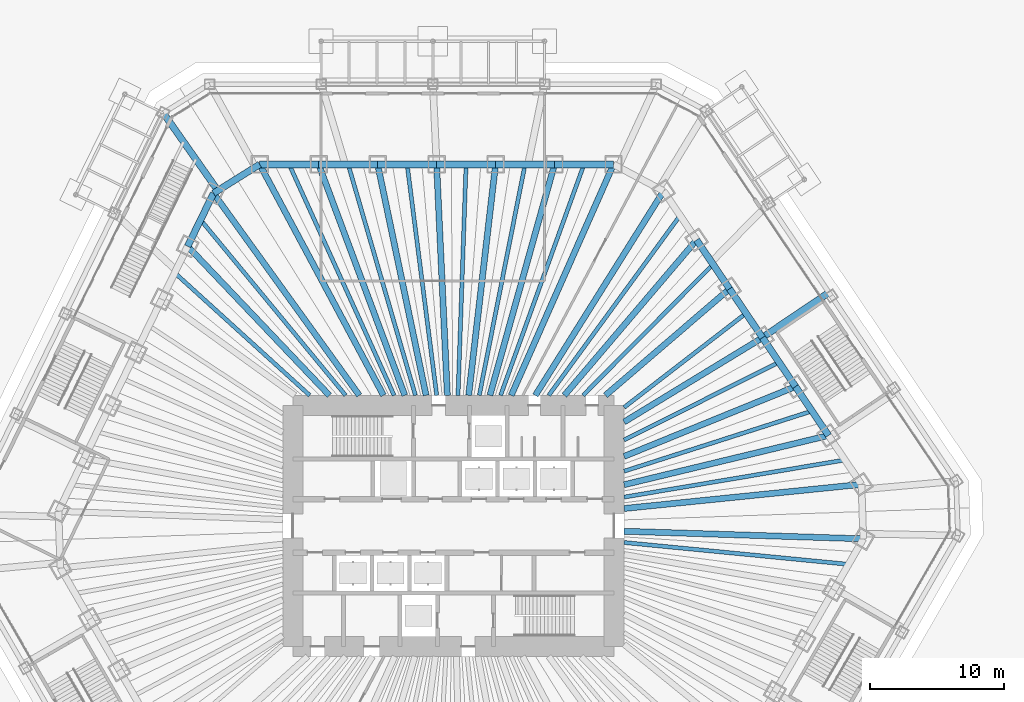
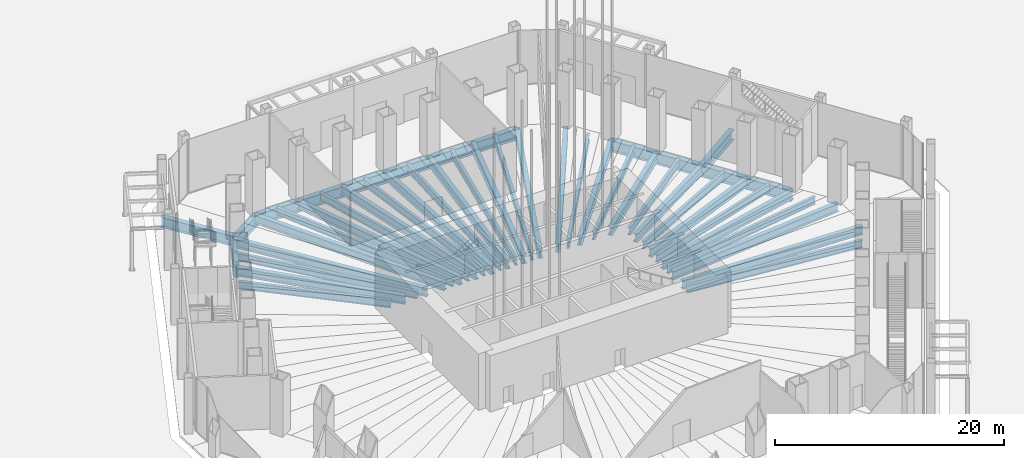
# One storey, part 19 of 45: 46 beams.
"""IFC4 building model written with IfcOpenShell, lengths in metres."""

import ifcopenshell
import ifcopenshell.guid

model = None  # the IFC model being written
_history = None  # IfcOwnerHistory: only IFC2X3 demands one
_inside = {}  # id of a spatial element -> (the spatial element, [elements in it])
_under = {}  # id of a project, library or spatial element -> (it, [spatial elements below it])
_declared = {}  # id of a project -> (the project, [libraries it declares])
_typed = {}  # id of a type object -> (the type object, [elements of that type])
_made_of = {}  # id of a material, layer set ... -> (it, [elements and type objects made of it])


def new_model(schema):
    """Start an empty IFC model of exactly this schema.

    Asked for "IFC4X3", IfcOpenShell would pick the latest addendum, in which some entities
    have other attributes; the version numbers below select the first issue.
    IFC2X3 requires an IfcOwnerHistory on every rooted entity: one is made here for all.
    """
    global model, _history
    if schema == "IFC4X3":
        model = ifcopenshell.file(schema_version=(4, 3, 0, 0))
    else:
        model = ifcopenshell.file(schema=schema)
    _inside.clear()
    _under.clear()
    _declared.clear()
    _typed.clear()
    _made_of.clear()
    _history = None
    if model.schema == "IFC2X3":
        org = make("IfcOrganization", Name="unknown")
        user = make(
            "IfcPersonAndOrganization",
            ThePerson=make("IfcPerson", FamilyName="unknown"),
            TheOrganization=org,
        )
        app = make(
            "IfcApplication",
            ApplicationDeveloper=org,
            Version="unknown",
            ApplicationFullName="unknown",
            ApplicationIdentifier="unknown",
        )
        _history = make(
            "IfcOwnerHistory",
            OwningUser=user,
            OwningApplication=app,
            ChangeAction="ADDED",
            CreationDate=0,
        )
    return model


def make(cls, **values):
    """One entity of the class cls with the attributes given. An attribute that is None is left unset."""
    return model.create_entity(
        cls, **{name: value for name, value in values.items() if value is not None}
    )


def rooted(cls, **values):
    """An entity with a GlobalId (a new one), such as an element, a storey or a relation."""
    return make(cls, GlobalId=ifcopenshell.guid.new(), OwnerHistory=_history, **values)


def si_unit(unit_type, name, prefix=None):
    """IfcSIUnit, for example si_unit("LENGTHUNIT", "METRE", prefix="MILLI")."""
    return make("IfcSIUnit", UnitType=unit_type, Prefix=prefix, Name=name)


def assignment(units):
    """IfcUnitAssignment: the units of a project."""
    return None if units is None else make("IfcUnitAssignment", Units=units)


def point(xyz):
    """IfcCartesianPoint."""
    return None if xyz is None else make("IfcCartesianPoint", Coordinates=xyz)


def direction(xyz):
    """IfcDirection."""
    return None if xyz is None else make("IfcDirection", DirectionRatios=xyz)


def frame(location, z_axis=None, x_axis=None):
    """IfcAxis2Placement3D, a coordinate frame: its origin and axes. An axis left out is left unset."""
    return make(
        "IfcAxis2Placement3D",
        Location=point(location),
        Axis=direction(z_axis),
        RefDirection=direction(x_axis),
    )


def frame_2d(location, x_axis=None):
    """IfcAxis2Placement2D, a coordinate frame in the plane: its origin and x axis."""
    return make(
        "IfcAxis2Placement2D", Location=point(location), RefDirection=direction(x_axis)
    )


def origin():
    """The frame at (0, 0, 0) with its axes left unset."""
    return frame((0.0, 0.0, 0.0))


def origin_2d():
    """The frame at (0, 0) in the plane with its x axis left unset."""
    return frame_2d((0.0, 0.0))


def place(relative_to, where):
    """IfcLocalPlacement: puts the frame where relative to a parent placement (None: the world)."""
    return make(
        "IfcLocalPlacement", PlacementRelTo=relative_to, RelativePlacement=where
    )


def context(
    kind, dimensions, precision=None, world=None, true_north=None, identifier=None
):
    """IfcGeometricRepresentationContext, for example the 3D "Model" context."""
    return make(
        "IfcGeometricRepresentationContext",
        ContextIdentifier=identifier,
        ContextType=kind,
        CoordinateSpaceDimension=dimensions,
        Precision=precision,
        WorldCoordinateSystem=world,
        TrueNorth=true_north,
    )


def subcontext(parent, identifier, kind, view, scale=None):
    """IfcGeometricRepresentationSubContext, for example "Body" below "Model"."""
    return make(
        "IfcGeometricRepresentationSubContext",
        ContextIdentifier=identifier,
        ContextType=kind,
        ParentContext=parent,
        TargetScale=scale,
        TargetView=view,
    )


def project(units=None, contexts=None):
    """IfcProject with its units and contexts."""
    return rooted(
        "IfcProject",
        Name="project",
        RepresentationContexts=contexts,
        UnitsInContext=assignment(units),
    )


def spatial(cls, under=None, at=None, **own):
    """A site, building, storey or space (cls), placed at a placement, below another one or the project."""
    s = rooted(cls, ObjectPlacement=at, **own)
    if under is not None:
        _under.setdefault(under.id(), (under, []))[1].append(s)
    return s


def profile(cls, at=None, kind="AREA", **sizes):
    """A parametric profile (cls). Its sizes go by their IFC names, for example OverallWidth=200.0."""
    return make(cls, ProfileType=kind, Position=at, **sizes)


def i_section(**sizes):
    """IfcIShapeProfileDef."""
    return profile("IfcIShapeProfileDef", **sizes)


def extrude(swept, where, along, depth):
    """IfcExtrudedAreaSolid: the profile swept, set in the frame where, extruded along a direction by depth."""
    return make(
        "IfcExtrudedAreaSolid",
        SweptArea=swept,
        Position=where,
        ExtrudedDirection=direction(along),
        Depth=depth,
    )


def shape(context_of_items, identifier, shape_type, items):
    """IfcShapeRepresentation: the items that make up one representation, for example the "Body"."""
    return make(
        "IfcShapeRepresentation",
        ContextOfItems=context_of_items,
        RepresentationIdentifier=identifier,
        RepresentationType=shape_type,
        Items=items,
    )


def material(Name=None, Category=None):
    """IfcMaterial."""
    return make("IfcMaterial", Name=Name, Category=Category)


def material_profile(
    of_material, cross_section, Name=None, Category=None, Priority=None
):
    """IfcMaterialProfile: a cross section and its material."""
    return make(
        "IfcMaterialProfile",
        Name=Name,
        Material=of_material,
        Profile=cross_section,
        Priority=Priority,
        Category=Category,
    )


def profile_set(profiles, Name=None, composite=None):
    """IfcMaterialProfileSet."""
    return make(
        "IfcMaterialProfileSet",
        Name=Name,
        MaterialProfiles=profiles,
        CompositeProfile=composite,
    )


def made_of(thing, what):
    """Note that an element or type object is made of a material, layer set ...; save() writes the relation."""
    if what is not None:
        _made_of.setdefault(what.id(), (what, []))[1].append(thing)
    return thing


def type_object(cls, material=None, **own):
    """A type object (cls), such as IfcWallType, which elements share."""
    return made_of(rooted(cls, **own), material)


def element(
    cls,
    number,
    at=None,
    inside=None,
    cuts=None,
    type_object=None,
    material=None,
    context=None,
    identifier="Body",
    shape_type=None,
    held_by="IfcProductDefinitionShape",
    body=None,
    shapes=None,
    **own,
):
    """One element of the class cls, such as IfcWall. Its Tag is "e" and its number.

    at: its placement. inside: the storey or other place that contains it. cuts: it is an
    opening in that element (IfcRelVoidsElement). A single representation is given by context,
    identifier, shape_type and body (its items); several are given by shapes. held_by: the class
    of the entity that holds the representations. save() writes the other relations.
    """
    e = rooted(cls, Tag="e%d" % number, ObjectPlacement=at, **own)
    if body is not None:
        shapes = [shape(context, identifier, shape_type, body)]
    if shapes is not None:
        e.Representation = make(held_by, Representations=shapes)
    if inside is not None:
        _inside.setdefault(inside.id(), (inside, []))[1].append(e)
    if cuts is not None:
        rooted(
            "IfcRelVoidsElement", RelatingBuildingElement=cuts, RelatedOpeningElement=e
        )
    if type_object is not None:
        _typed.setdefault(type_object.id(), (type_object, []))[1].append(e)
    return made_of(e, material)


def aggregate(whole, parts):
    """IfcRelAggregates: a whole, such as a stair, and the parts it consists of."""
    return rooted("IfcRelAggregates", RelatingObject=whole, RelatedObjects=parts)


def save(model, path):
    """Write the relations noted so far, then the file.

    IfcRelAggregates (storeys below a building ...), IfcRelContainedInSpatialStructure (elements
    in a storey), IfcRelDefinesByType, IfcRelAssociatesMaterial and IfcRelDeclares: one each for
    every whole, place, type object, material and project.
    """
    for whole, parts in _under.values():
        aggregate(whole, parts)
    for where, things in _inside.values():
        rooted(
            "IfcRelContainedInSpatialStructure",
            RelatedElements=things,
            RelatingStructure=where,
        )
    for kind, things in _typed.values():
        rooted("IfcRelDefinesByType", RelatedObjects=things, RelatingType=kind)
    for what, things in _made_of.values():
        rooted("IfcRelAssociatesMaterial", RelatedObjects=things, RelatingMaterial=what)
    for by, libraries in _declared.values():
        rooted("IfcRelDeclares", RelatingContext=by, RelatedDefinitions=libraries)
    model.write(path)


model = new_model("IFC4")

# Units and contexts
model_context = context("Model", 3, precision=1e-05, world=origin(), true_north=direction((0.0, 1.0)))
body_context = subcontext(model_context, "Body", "Model", "MODEL_VIEW")
ifc_project = project(units=[si_unit("LENGTHUNIT", "METRE"), si_unit("AREAUNIT", "SQUARE_METRE"), si_unit("VOLUMEUNIT", "CUBIC_METRE"), si_unit("PLANEANGLEUNIT", "RADIAN"), si_unit("MASSUNIT", "GRAM", prefix="KILO")], contexts=[model_context])

# Site, building, storey
site_placement = place(None, origin())
site = spatial("IfcSite", under=ifc_project, at=site_placement, CompositionType="ELEMENT")
building_placement = place(site_placement, origin())
building = spatial("IfcBuilding", under=site, at=building_placement, Name="Qingtian Harvest Tower", CompositionType="ELEMENT")
storey_placement = place(building_placement, origin())
storey = spatial("IfcBuildingStorey", under=building, at=storey_placement, Name="L00", CompositionType="ELEMENT", Elevation=0.0)

# Beams
ifc_material_1 = material(Name="Steel SM570MC", Category="steel")
ifc_material_profile_1 = material_profile(ifc_material_1, i_section(OverallWidth=0.449951171875, OverallDepth=0.89990234375, WebThickness=0.02197265625, FlangeThickness=0.044921875, at=origin_2d()), Name="H900x450x22x45")
ifc_profile_set_1 = profile_set([ifc_material_profile_1], Name="Steel SM570MC")
beam_type_1 = type_object("IfcBeamType", Name="Floor beam FB5 H900x450x22x45", PredefinedType="BEAM", material=ifc_profile_set_1)
beam_1_placement = place(storey_placement, frame((-14.471435546875, 27.0, -0.699951171875), z_axis=(0.472401408299, -0.881383520062, 0.0), x_axis=(0.881383520062, 0.472401408299, 0.0)))
element("IfcBeam", 1, at=beam_1_placement, inside=storey, type_object=beam_type_1, Name="Floor beam FB5 N0", PredefinedType="BEAM", context=body_context, shape_type="SweptSolid", body=[
    extrude(i_section(OverallWidth=0.449951171875, OverallDepth=0.89990234375, WebThickness=0.02197265625, FlangeThickness=0.044921875, at=origin_2d()), origin(), (0.0, 0.0, 1.0), 19.571533203125),
])
beam_2_placement = place(storey_placement, frame((-10.06689453125, 27.0, -0.699951171875), z_axis=(0.349355612113, -0.936990211414, 0.0), x_axis=(0.936990211414, 0.349355612113, 0.0)))
element("IfcBeam", 2, at=beam_2_placement, inside=storey, type_object=beam_type_1, Name="Floor beam FB5 N1", PredefinedType="BEAM", context=body_context, shape_type="SweptSolid", body=[
    extrude(i_section(OverallWidth=0.449951171875, OverallDepth=0.89990234375, WebThickness=0.02197265625, FlangeThickness=0.044921875, at=origin_2d()), origin(), (0.0, 0.0, 1.0), 18.409912109375),
])
beam_3_placement = place(storey_placement, frame((-5.662353515625, 27.0, -0.699951171875), z_axis=(0.205255077335, -0.978708512903, 0.0), x_axis=(0.978708512903, 0.205255077335, 0.0)))
element("IfcBeam", 3, at=beam_3_placement, inside=storey, type_object=beam_type_1, Name="Floor beam FB5 N2", PredefinedType="BEAM", context=body_context, shape_type="SweptSolid", body=[
    extrude(i_section(OverallWidth=0.449951171875, OverallDepth=0.89990234375, WebThickness=0.02197265625, FlangeThickness=0.044921875, at=origin_2d()), origin(), (0.0, 0.0, 1.0), 17.625244140625),
])
beam_4_placement = place(storey_placement, frame((-1.257568359375, 27.0, -0.699951171875), z_axis=(0.046527342366, -0.99891701678, 0.0), x_axis=(0.99891701678, 0.046527342366, 0.0)))
element("IfcBeam", 4, at=beam_4_placement, inside=storey, type_object=beam_type_1, Name="Floor beam FB5 N3", PredefinedType="BEAM", context=body_context, shape_type="SweptSolid", body=[
    extrude(i_section(OverallWidth=0.449951171875, OverallDepth=0.89990234375, WebThickness=0.02197265625, FlangeThickness=0.044921875, at=origin_2d()), origin(), (0.0, 0.0, 1.0), 17.268798828125),
])
beam_5_placement = place(storey_placement, frame((3.14697265625, 27.0, -0.699951171875), z_axis=(-0.115766971807, -0.993276400726, 0.0), x_axis=(0.993276400726, -0.115766971807, 0.0)))
element("IfcBeam", 5, at=beam_5_placement, inside=storey, type_object=beam_type_1, Name="Floor beam FB5 N4", PredefinedType="BEAM", context=body_context, shape_type="SweptSolid", body=[
    extrude(i_section(OverallWidth=0.449951171875, OverallDepth=0.89990234375, WebThickness=0.02197265625, FlangeThickness=0.044921875, at=origin_2d()), origin(), (0.0, 0.0, 1.0), 17.36669921875),
])
beam_6_placement = place(storey_placement, frame((7.551513671875, 27.0, -0.699951171875), z_axis=(-0.269343258019, -0.963044240604, 0.0), x_axis=(0.963044240604, -0.269343258019, 0.0)))
element("IfcBeam", 6, at=beam_6_placement, inside=storey, type_object=beam_type_1, Name="Floor beam FB5 N5", PredefinedType="BEAM", context=body_context, shape_type="SweptSolid", body=[
    extrude(i_section(OverallWidth=0.449951171875, OverallDepth=0.89990234375, WebThickness=0.02197265625, FlangeThickness=0.044921875, at=origin_2d()), origin(), (0.0, 0.0, 1.0), 17.911865234375),
])
beam_7_placement = place(storey_placement, frame((11.9560546875, 27.0, -0.699951171875), z_axis=(-0.404898955654, -0.914361436036, 0.0), x_axis=(0.914361436036, -0.404898955654, 0.0)))
element("IfcBeam", 7, at=beam_7_placement, inside=storey, type_object=beam_type_1, Name="Floor beam FB5 N6", PredefinedType="BEAM", context=body_context, shape_type="SweptSolid", body=[
    extrude(i_section(OverallWidth=0.449951171875, OverallDepth=0.89990234375, WebThickness=0.02197265625, FlangeThickness=0.044921875, at=origin_2d()), origin(), (0.0, 0.0, 1.0), 18.86572265625),
])
beam_8_placement = place(storey_placement, frame((15.6982421875, 25.01025390625, -0.699951171875), z_axis=(-0.531622796942, -0.846981228701, 0.0), x_axis=(0.846981228701, -0.531622796942, 0.0)))
element("IfcBeam", 8, at=beam_8_placement, inside=storey, type_object=beam_type_1, Name="Floor beam FB5 NE0", PredefinedType="BEAM", context=body_context, shape_type="SweptSolid", body=[
    extrude(i_section(OverallWidth=0.449951171875, OverallDepth=0.89990234375, WebThickness=0.02197265625, FlangeThickness=0.044921875, at=origin_2d()), origin(), (0.0, 0.0, 1.0), 18.017333984375),
])
beam_9_placement = place(storey_placement, frame((18.1611328125, 21.358642578125, -0.699951171875), z_axis=(-0.647781887327, -0.761825850474, 0.0), x_axis=(0.761825850474, -0.647781887327, 0.0)))
element("IfcBeam", 9, at=beam_9_placement, inside=storey, type_object=beam_type_1, Name="Floor beam FB5 NE1", PredefinedType="BEAM", context=body_context, shape_type="SweptSolid", body=[
    extrude(i_section(OverallWidth=0.449951171875, OverallDepth=0.89990234375, WebThickness=0.02197265625, FlangeThickness=0.044921875, at=origin_2d()), origin(), (0.0, 0.0, 1.0), 15.238037109375),
])
beam_10_placement = place(storey_placement, frame((20.624267578125, 17.70703125, -0.699951171875), z_axis=(-0.75873153072, -0.651403457384, 0.0), x_axis=(0.651403457384, -0.75873153072, 0.0)))
element("IfcBeam", 10, at=beam_10_placement, inside=storey, type_object=beam_type_1, Name="Floor beam FB5 NE2", PredefinedType="BEAM", context=body_context, shape_type="SweptSolid", body=[
    extrude(i_section(OverallWidth=0.449951171875, OverallDepth=0.89990234375, WebThickness=0.02197265625, FlangeThickness=0.044921875, at=origin_2d()), origin(), (0.0, 0.0, 1.0), 12.21533203125),
])
beam_11_placement = place(storey_placement, frame((23.08740234375, 14.0556640625, -0.699951171875), z_axis=(-0.854157261259, -0.520014781558, 0.0), x_axis=(0.520014781558, -0.854157261259, 0.0)))
element("IfcBeam", 11, at=beam_11_placement, inside=storey, type_object=beam_type_1, Name="Floor beam FB5 NE3", PredefinedType="BEAM", context=body_context, shape_type="SweptSolid", body=[
    extrude(i_section(OverallWidth=0.449951171875, OverallDepth=0.89990234375, WebThickness=0.02197265625, FlangeThickness=0.044921875, at=origin_2d()), origin(), (0.0, 0.0, 1.0), 12.1025390625),
])
beam_12_placement = place(storey_placement, frame((25.55029296875, 10.404052734375, -0.699951171875), z_axis=(-0.926156354735, -0.37713977062, 0.0), x_axis=(0.37713977062, -0.926156354735, 0.0)))
element("IfcBeam", 12, at=beam_12_placement, inside=storey, type_object=beam_type_1, Name="Floor beam FB5 NE4", PredefinedType="BEAM", context=body_context, shape_type="SweptSolid", body=[
    extrude(i_section(OverallWidth=0.449951171875, OverallDepth=0.89990234375, WebThickness=0.02197265625, FlangeThickness=0.044921875, at=origin_2d()), origin(), (0.0, 0.0, 1.0), 13.82080078125),
])
beam_13_placement = place(storey_placement, frame((28.013427734375, 6.75244140625, -0.699951171875), z_axis=(-0.972155908389, -0.234334994792, 0.0), x_axis=(0.234334994792, -0.972155908389, 0.0)))
element("IfcBeam", 13, at=beam_13_placement, inside=storey, type_object=beam_type_1, Name="Floor beam FB5 NE5", PredefinedType="BEAM", context=body_context, shape_type="SweptSolid", body=[
    extrude(i_section(OverallWidth=0.449951171875, OverallDepth=0.89990234375, WebThickness=0.02197265625, FlangeThickness=0.044921875, at=origin_2d()), origin(), (0.0, 0.0, 1.0), 15.70068359375),
])
beam_14_placement = place(storey_placement, frame((30.476318359375, 3.100830078125, -0.699951171875), z_axis=(-0.994864371567, -0.101217005423, 0.0), x_axis=(0.101217005423, -0.994864371567, 0.0)))
element("IfcBeam", 14, at=beam_14_placement, inside=storey, type_object=beam_type_1, Name="Floor beam FB5 NE6", PredefinedType="BEAM", context=body_context, shape_type="SweptSolid", body=[
    extrude(i_section(OverallWidth=0.449951171875, OverallDepth=0.89990234375, WebThickness=0.02197265625, FlangeThickness=0.044921875, at=origin_2d()), origin(), (0.0, 0.0, 1.0), 17.81787109375),
])
beam_15_placement = place(storey_placement, frame((30.618408203125, -0.96728515625, -0.699951171875), z_axis=(-0.999501426546, 0.031573696842, 0.0), x_axis=(-0.031573696842, -0.999501426546, 0.0)))
element("IfcBeam", 15, at=beam_15_placement, inside=storey, type_object=beam_type_1, Name="Floor beam FB5 SE0", PredefinedType="BEAM", context=body_context, shape_type="SweptSolid", body=[
    extrude(i_section(OverallWidth=0.449951171875, OverallDepth=0.89990234375, WebThickness=0.02197265625, FlangeThickness=0.044921875, at=origin_2d()), origin(), (0.0, 0.0, 1.0), 17.87744140625),
])
beam_16_placement = place(storey_placement, frame((-19.8544921875, 20.884033203125, -0.699951171875), z_axis=(0.689018801535, -0.724743465739, 0.0), x_axis=(0.724743465739, 0.689018801535, 0.0)))
element("IfcBeam", 16, at=beam_16_placement, inside=storey, type_object=beam_type_1, Name="Floor beam FB5 NW5", PredefinedType="BEAM", context=body_context, shape_type="SweptSolid", body=[
    extrude(i_section(OverallWidth=0.449951171875, OverallDepth=0.89990234375, WebThickness=0.02197265625, FlangeThickness=0.044921875, at=origin_2d()), origin(), (0.0, 0.0, 1.0), 15.36279296875),
])
beam_17_placement = place(storey_placement, frame((-17.923583984375, 24.8427734375, -0.699951171875), z_axis=(0.585095822328, -0.810964166098, 0.0), x_axis=(0.810964166098, 0.585095822328, 0.0)))
element("IfcBeam", 17, at=beam_17_placement, inside=storey, type_object=beam_type_1, Name="Floor beam FB5 NW6", PredefinedType="BEAM", context=body_context, shape_type="SweptSolid", body=[
    extrude(i_section(OverallWidth=0.449951171875, OverallDepth=0.89990234375, WebThickness=0.02197265625, FlangeThickness=0.044921875, at=origin_2d()), origin(), (0.0, 0.0, 1.0), 18.61083984375),
])
ifc_material_2 = material(Name="Steel SM570MC", Category="steel")
ifc_material_profile_2 = material_profile(ifc_material_2, i_section(OverallWidth=0.5, OverallDepth=1.10009765625, WebThickness=0.02490234375, FlangeThickness=0.050048828125, at=origin_2d()), Name="H1100x500x25x50")
ifc_profile_set_2 = profile_set([ifc_material_profile_2], Name="Steel SM570MC")
beam_type_2 = type_object("IfcBeamType", Name="Floor beam FB6 H1100x500x25x50", PredefinedType="BEAM", material=ifc_profile_set_2)
beam_18_placement = place(storey_placement, frame((28.050048828125, 17.427734375, -0.800048828125), z_axis=(-0.829026943096, -0.559208661969, 0.0), x_axis=(0.559208661969, -0.829026943096, 0.0)))
element("IfcBeam", 18, at=beam_18_placement, inside=storey, type_object=beam_type_2, Name="Podium floor beam FB6 NE2", PredefinedType="BEAM", context=body_context, shape_type="SweptSolid", body=[
    extrude(i_section(OverallWidth=0.5, OverallDepth=1.10009765625, WebThickness=0.02490234375, FlangeThickness=0.050048828125, at=origin_2d()), origin(), (0.0, 0.0, 1.0), 6.0),
])
beam_19_placement = place(storey_placement, frame((-21.6728515625, 30.8427734375, -0.800048828125), z_axis=(0.574952997863, -0.818186439785, 0.0), x_axis=(0.818186439785, 0.574952997863, 0.0)))
element("IfcBeam", 19, at=beam_19_placement, inside=storey, type_object=beam_type_2, Name="Podium floor beam FB6 NW4", PredefinedType="BEAM", context=body_context, shape_type="SweptSolid", body=[
    extrude(i_section(OverallWidth=0.5, OverallDepth=1.10009765625, WebThickness=0.02490234375, FlangeThickness=0.050048828125, at=origin_2d()), origin(), (0.0, 0.0, 1.0), 7.08544921875),
])
ifc_material_3 = material(Name="Steel SN490B", Category="steel")
ifc_material_profile_3 = material_profile(ifc_material_3, i_section(OverallWidth=0.300048828125, OverallDepth=0.800048828125, WebThickness=0.013916015625, FlangeThickness=0.02587890625, at=origin_2d()), Name="H800x300x14x26")
ifc_profile_set_3 = profile_set([ifc_material_profile_3], Name="Steel SN490B")
beam_type_3 = type_object("IfcBeamType", Name="Floor joist J1 H800x300x14x26", PredefinedType="JOIST", material=ifc_profile_set_3)
beam_20_placement = place(storey_placement, frame((-12.269287109375, 27.0, -0.64990234375), z_axis=(0.413713629402, -0.910407069858, 0.0), x_axis=(0.910407069858, 0.413713629402, 0.0)))
element("IfcBeam", 20, at=beam_20_placement, inside=storey, type_object=beam_type_3, Name="Floor joist J1 N0", PredefinedType="JOIST", context=body_context, shape_type="SweptSolid", body=[
    extrude(i_section(OverallWidth=0.300048828125, OverallDepth=0.800048828125, WebThickness=0.013916015625, FlangeThickness=0.02587890625, at=origin_2d()), origin(), (0.0, 0.0, 1.0), 18.947509765625),
])
beam_21_placement = place(storey_placement, frame((-7.864501953125, 27.0, -0.64990234375), z_axis=(0.279649335299, -0.960102207719, 0.0), x_axis=(0.960102207719, 0.279649335299, 0.0)))
element("IfcBeam", 21, at=beam_21_placement, inside=storey, type_object=beam_type_3, Name="Floor joist J1 N1", PredefinedType="JOIST", context=body_context, shape_type="SweptSolid", body=[
    extrude(i_section(OverallWidth=0.300048828125, OverallDepth=0.800048828125, WebThickness=0.013916015625, FlangeThickness=0.02587890625, at=origin_2d()), origin(), (0.0, 0.0, 1.0), 17.966796875),
])
beam_22_placement = place(storey_placement, frame((-3.4599609375, 27.0, -0.64990234375), z_axis=(0.127102696173, -0.991889562716, 0.0), x_axis=(0.991889562716, 0.127102696173, 0.0)))
element("IfcBeam", 22, at=beam_22_placement, inside=storey, type_object=beam_type_3, Name="Floor joist J1 N2", PredefinedType="JOIST", context=body_context, shape_type="SweptSolid", body=[
    extrude(i_section(OverallWidth=0.300048828125, OverallDepth=0.800048828125, WebThickness=0.013916015625, FlangeThickness=0.02587890625, at=origin_2d()), origin(), (0.0, 0.0, 1.0), 17.39111328125),
])
beam_23_placement = place(storey_placement, frame((0.944580078125, 27.0, -0.64990234375), z_axis=(-0.034965020137, -0.99938853674, 0.0), x_axis=(0.99938853674, -0.034965020137, 0.0)))
element("IfcBeam", 23, at=beam_23_placement, inside=storey, type_object=beam_type_3, Name="Floor joist J1 N3", PredefinedType="JOIST", context=body_context, shape_type="SweptSolid", body=[
    extrude(i_section(OverallWidth=0.300048828125, OverallDepth=0.800048828125, WebThickness=0.013916015625, FlangeThickness=0.02587890625, at=origin_2d()), origin(), (0.0, 0.0, 1.0), 17.260498046875),
])
beam_24_placement = place(storey_placement, frame((5.349365234375, 27.0, -0.64990234375), z_axis=(-0.19435104803, -0.980932041545, 0.0), x_axis=(0.980932041545, -0.19435104803, 0.0)))
element("IfcBeam", 24, at=beam_24_placement, inside=storey, type_object=beam_type_3, Name="Floor joist J1 N4", PredefinedType="JOIST", context=body_context, shape_type="SweptSolid", body=[
    extrude(i_section(OverallWidth=0.300048828125, OverallDepth=0.800048828125, WebThickness=0.013916015625, FlangeThickness=0.02587890625, at=origin_2d()), origin(), (0.0, 0.0, 1.0), 17.585205078125),
])
beam_25_placement = place(storey_placement, frame((9.75390625, 27.0, -0.64990234375), z_axis=(-0.339766141765, -0.940509951521, 0.0), x_axis=(0.940509951521, -0.339766141765, 0.0)))
element("IfcBeam", 25, at=beam_25_placement, inside=storey, type_object=beam_type_3, Name="Floor joist J1 N5", PredefinedType="JOIST", context=body_context, shape_type="SweptSolid", body=[
    extrude(i_section(OverallWidth=0.300048828125, OverallDepth=0.800048828125, WebThickness=0.013916015625, FlangeThickness=0.02587890625, at=origin_2d()), origin(), (0.0, 0.0, 1.0), 18.341064453125),
])
beam_26_placement = place(storey_placement, frame((16.9296875, 23.1845703125, -0.64990234375), z_axis=(-0.589722175422, -0.80760618857, 0.0), x_axis=(0.80760618857, -0.589722175422, 0.0)))
element("IfcBeam", 26, at=beam_26_placement, inside=storey, type_object=beam_type_3, Name="Floor joist J1 NE0", PredefinedType="JOIST", context=body_context, shape_type="SweptSolid", body=[
    extrude(i_section(OverallWidth=0.300048828125, OverallDepth=0.800048828125, WebThickness=0.013916015625, FlangeThickness=0.02587890625, at=origin_2d()), origin(), (0.0, 0.0, 1.0), 16.635009765625),
])
beam_27_placement = place(storey_placement, frame((19.392822265625, 19.532958984375, -0.64990234375), z_axis=(-0.704560879039, -0.709643549768, 0.0), x_axis=(0.709643549768, -0.704560879039, 0.0)))
element("IfcBeam", 27, at=beam_27_placement, inside=storey, type_object=beam_type_3, Name="Floor joist J1 NE1", PredefinedType="JOIST", context=body_context, shape_type="SweptSolid", body=[
    extrude(i_section(OverallWidth=0.300048828125, OverallDepth=0.800048828125, WebThickness=0.013916015625, FlangeThickness=0.02587890625, at=origin_2d()), origin(), (0.0, 0.0, 1.0), 13.78564453125),
])
beam_28_placement = place(storey_placement, frame((21.855712890625, 15.88134765625, -0.64990234375), z_axis=(-0.79149450594, -0.611176281499, 0.0), x_axis=(0.611176281499, -0.79149450594, 0.0)))
element("IfcBeam", 28, at=beam_28_placement, inside=storey, type_object=beam_type_3, Name="Floor joist J1 NE2", PredefinedType="JOIST", context=body_context, shape_type="SweptSolid", body=[
    extrude(i_section(OverallWidth=0.300048828125, OverallDepth=0.800048828125, WebThickness=0.013916015625, FlangeThickness=0.02587890625, at=origin_2d()), origin(), (0.0, 0.0, 1.0), 11.50439453125),
])
beam_29_placement = place(storey_placement, frame((24.31884765625, 12.229736328125, -0.64990234375), z_axis=(-0.893391632689, -0.449278744924, 0.0), x_axis=(0.449278744924, -0.893391632689, 0.0)))
element("IfcBeam", 29, at=beam_29_placement, inside=storey, type_object=beam_type_3, Name="Floor joist J1 NE3", PredefinedType="JOIST", context=body_context, shape_type="SweptSolid", body=[
    extrude(i_section(OverallWidth=0.300048828125, OverallDepth=0.800048828125, WebThickness=0.013916015625, FlangeThickness=0.02587890625, at=origin_2d()), origin(), (0.0, 0.0, 1.0), 12.949462890625),
])
beam_30_placement = place(storey_placement, frame((26.78173828125, 8.578125, -0.64990234375), z_axis=(-0.952340804978, -0.305036048976, 0.0), x_axis=(0.305036048976, -0.952340804978, 0.0)))
element("IfcBeam", 30, at=beam_30_placement, inside=storey, type_object=beam_type_3, Name="Floor joist J1 NE4", PredefinedType="JOIST", context=body_context, shape_type="SweptSolid", body=[
    extrude(i_section(OverallWidth=0.300048828125, OverallDepth=0.800048828125, WebThickness=0.013916015625, FlangeThickness=0.02587890625, at=origin_2d()), origin(), (0.0, 0.0, 1.0), 14.73388671875),
])
beam_31_placement = place(storey_placement, frame((29.244873046875, 4.926513671875, -0.64990234375), z_axis=(-0.986107238024, -0.166109948877, 0.0), x_axis=(0.166109948877, -0.986107238024, 0.0)))
element("IfcBeam", 31, at=beam_31_placement, inside=storey, type_object=beam_type_3, Name="Floor joist J1 NE5", PredefinedType="JOIST", context=body_context, shape_type="SweptSolid", body=[
    extrude(i_section(OverallWidth=0.300048828125, OverallDepth=0.800048828125, WebThickness=0.013916015625, FlangeThickness=0.02587890625, at=origin_2d()), origin(), (0.0, 0.0, 1.0), 16.727294921875),
])
beam_32_placement = place(storey_placement, frame((29.517333984375, -2.87451171875, -0.64990234375), z_axis=(-0.995291970786, 0.096922097011, 0.0), x_axis=(-0.096922097011, -0.995291970786, 0.0)))
element("IfcBeam", 32, at=beam_32_placement, inside=storey, type_object=beam_type_3, Name="Floor joist J1 SE0", PredefinedType="JOIST", context=body_context, shape_type="SweptSolid", body=[
    extrude(i_section(OverallWidth=0.300048828125, OverallDepth=0.800048828125, WebThickness=0.013916015625, FlangeThickness=0.02587890625, at=origin_2d()), origin(), (0.0, 0.0, 1.0), 16.8466796875),
])
beam_33_placement = place(storey_placement, frame((-20.81982421875, 18.904541015625, -0.64990234375), z_axis=(0.740339866926, -0.672232758381, 0.0), x_axis=(0.672232758381, 0.740339866926, 0.0)))
element("IfcBeam", 33, at=beam_33_placement, inside=storey, type_object=beam_type_3, Name="Floor joist J1 NW4", PredefinedType="JOIST", context=body_context, shape_type="SweptSolid", body=[
    extrude(i_section(OverallWidth=0.300048828125, OverallDepth=0.800048828125, WebThickness=0.013916015625, FlangeThickness=0.02587890625, at=origin_2d()), origin(), (0.0, 0.0, 1.0), 13.6181640625),
])
beam_34_placement = place(storey_placement, frame((-18.888916015625, 22.863525390625, -0.64990234375), z_axis=(0.636910378144, -0.77093785107, 0.0), x_axis=(0.77093785107, 0.636910378144, 0.0)))
element("IfcBeam", 34, at=beam_34_placement, inside=storey, type_object=beam_type_3, Name="Floor joist J1 NW5", PredefinedType="JOIST", context=body_context, shape_type="SweptSolid", body=[
    extrude(i_section(OverallWidth=0.300048828125, OverallDepth=0.800048828125, WebThickness=0.013916015625, FlangeThickness=0.02587890625, at=origin_2d()), origin(), (0.0, 0.0, 1.0), 17.009765625),
])
ifc_material_4 = material(Name="Steel SM570MC", Category="steel")
ifc_material_profile_4 = material_profile(ifc_material_4, i_section(OverallWidth=0.5, OverallDepth=1.199951171875, WebThickness=0.02490234375, FlangeThickness=0.050048828125, at=origin_2d()), Name="H1200x500x25x50")
ifc_profile_set_4 = profile_set([ifc_material_profile_4], Name="Steel SM570MC")
beam_type_4 = type_object("IfcBeamType", Name="Spandrel beam SB1 H1200x500x25x50", PredefinedType="SPANDREL", material=ifc_profile_set_4)
for number, where, z_axis, x_axis, name in (
    (35, (-14.471435546875, 27.0, -0.85009765625), (1.0, 0.0, 0.0), (0.0, 1.0, 0.0), "Spandrel SB1 N0"),
    (36, (-10.06689453125, 27.0, -0.85009765625), (1.0, 0.0, 0.0), (0.0, 1.0, 0.0), "Spandrel SB1 N1"),
):
    element("IfcBeam", number, at=place(storey_placement, frame(where, z_axis=z_axis, x_axis=x_axis)), inside=storey, type_object=beam_type_4, Name=name, PredefinedType="SPANDREL", context=body_context, shape_type="SweptSolid", body=[
        extrude(i_section(OverallWidth=0.5, OverallDepth=1.199951171875, WebThickness=0.02490234375, FlangeThickness=0.050048828125, at=origin_2d()), origin(), (0.0, 0.0, 1.0), 4.404541015625),
    ])
beam_35_placement = place(storey_placement, frame((-5.662353515625, 27.0, -0.85009765625), z_axis=(1.0, 0.0, 0.0), x_axis=(0.0, 1.0, 0.0)))
element("IfcBeam", 37, at=beam_35_placement, inside=storey, type_object=beam_type_4, Name="Spandrel SB1 N2", PredefinedType="SPANDREL", context=body_context, shape_type="SweptSolid", body=[
    extrude(i_section(OverallWidth=0.5, OverallDepth=1.199951171875, WebThickness=0.02490234375, FlangeThickness=0.050048828125, at=origin_2d()), origin(), (0.0, 0.0, 1.0), 4.40478515625),
])
for number, where, z_axis, x_axis, name in (
    (38, (-1.257568359375, 27.0, -0.85009765625), (1.0, 0.0, 0.0), (0.0, 1.0, 0.0), "Spandrel SB1 N3"),
    (39, (3.14697265625, 27.0, -0.85009765625), (1.0, 0.0, 0.0), (0.0, 1.0, 0.0), "Spandrel SB1 N4"),
    (40, (7.551513671875, 27.0, -0.85009765625), (1.0, 0.0, 0.0), (0.0, 1.0, 0.0), "Spandrel SB1 N5"),
):
    element("IfcBeam", number, at=place(storey_placement, frame(where, z_axis=z_axis, x_axis=x_axis)), inside=storey, type_object=beam_type_4, Name=name, PredefinedType="SPANDREL", context=body_context, shape_type="SweptSolid", body=[
        extrude(i_section(OverallWidth=0.5, OverallDepth=1.199951171875, WebThickness=0.02490234375, FlangeThickness=0.050048828125, at=origin_2d()), origin(), (0.0, 0.0, 1.0), 4.404541015625),
    ])
beam_36_placement = place(storey_placement, frame((18.1611328125, 21.358642578125, -0.85009765625), z_axis=(0.559207231603, -0.829027907928, 0.0), x_axis=(0.829027907928, 0.559207231603, 0.0)))
element("IfcBeam", 41, at=beam_36_placement, inside=storey, type_object=beam_type_4, Name="Spandrel SB1 NE1", PredefinedType="SPANDREL", context=body_context, shape_type="SweptSolid", body=[
    extrude(i_section(OverallWidth=0.5, OverallDepth=1.199951171875, WebThickness=0.02490234375, FlangeThickness=0.050048828125, at=origin_2d()), origin(), (0.0, 0.0, 1.0), 4.40478515625),
])
for number, where, z_axis, x_axis, name in (
    (42, (20.624267578125, 17.70703125, -0.85009765625), (0.559232928578, -0.829010573874, 0.0), (0.829010573874, 0.559232928578, 0.0), "Spandrel SB1 NE2"),
    (43, (23.08740234375, 14.0556640625, -0.85009765625), (0.559169135272, -0.829053603912, 0.0), (0.829053603912, 0.559169135272, 0.0), "Spandrel SB1 NE3"),
):
    element("IfcBeam", number, at=place(storey_placement, frame(where, z_axis=z_axis, x_axis=x_axis)), inside=storey, type_object=beam_type_4, Name=name, PredefinedType="SPANDREL", context=body_context, shape_type="SweptSolid", body=[
        extrude(i_section(OverallWidth=0.5, OverallDepth=1.199951171875, WebThickness=0.02490234375, FlangeThickness=0.050048828125, at=origin_2d()), origin(), (0.0, 0.0, 1.0), 4.404541015625),
    ])
beam_37_placement = place(storey_placement, frame((25.55029296875, 10.404052734375, -0.85009765625), z_axis=(0.559207231603, -0.829027907928, 0.0), x_axis=(0.829027907928, 0.559207231603, 0.0)))
element("IfcBeam", 44, at=beam_37_placement, inside=storey, type_object=beam_type_4, Name="Spandrel SB1 NE4", PredefinedType="SPANDREL", context=body_context, shape_type="SweptSolid", body=[
    extrude(i_section(OverallWidth=0.5, OverallDepth=1.199951171875, WebThickness=0.02490234375, FlangeThickness=0.050048828125, at=origin_2d()), origin(), (0.0, 0.0, 1.0), 4.40478515625),
])
beam_38_placement = place(storey_placement, frame((-19.8544921875, 20.884033203125, -0.85009765625), z_axis=(0.438389777529, 0.898784959241, 0.0), x_axis=(-0.898784959241, 0.438389777529, 0.0)))
element("IfcBeam", 45, at=beam_38_placement, inside=storey, type_object=beam_type_4, Name="Spandrel SB1 NW5", PredefinedType="SPANDREL", context=body_context, shape_type="SweptSolid", body=[
    extrude(i_section(OverallWidth=0.5, OverallDepth=1.199951171875, WebThickness=0.02490234375, FlangeThickness=0.050048828125, at=origin_2d()), origin(), (0.0, 0.0, 1.0), 4.404541015625),
])
beam_39_placement = place(storey_placement, frame((-17.923583984375, 24.8427734375, -0.85009765625), z_axis=(0.848038733752, 0.529934246919, 0.0), x_axis=(-0.529934246919, 0.848038733752, 0.0)))
element("IfcBeam", 46, at=beam_39_placement, inside=storey, type_object=beam_type_4, Name="Spandrel SB1 NWC", PredefinedType="SPANDREL", context=body_context, shape_type="SweptSolid", body=[
    extrude(i_section(OverallWidth=0.5, OverallDepth=1.199951171875, WebThickness=0.02490234375, FlangeThickness=0.050048828125, at=origin_2d()), origin(), (0.0, 0.0, 1.0), 4.07080078125),
])

save(model, "model.ifc")
